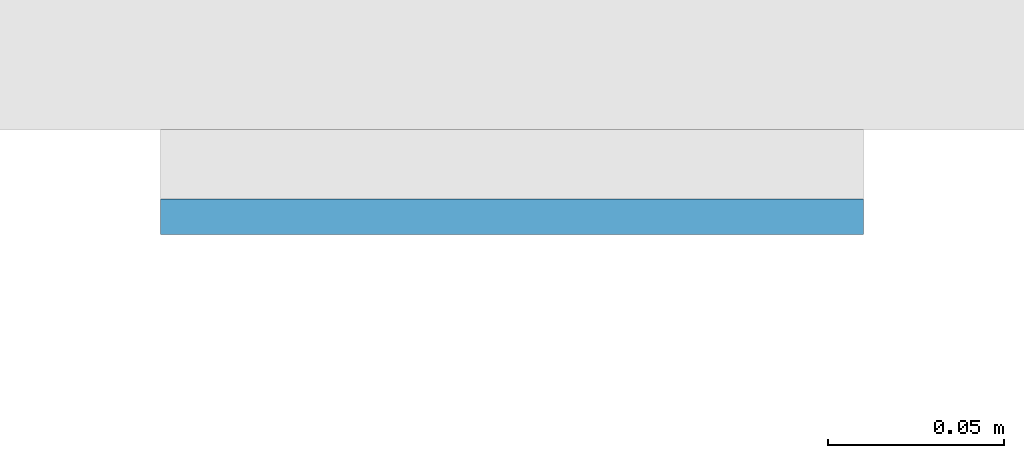
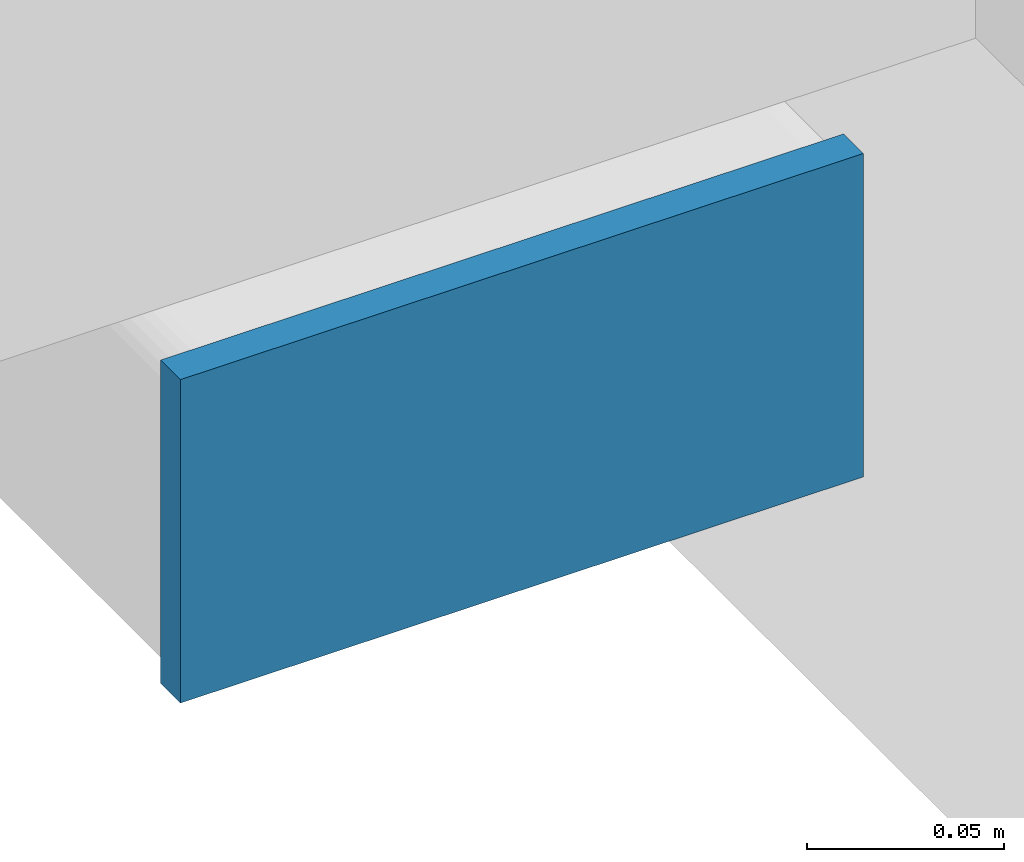
# One storey, part 8 of 20: 1 plate.
"""IFC4 building model written with IfcOpenShell, lengths in metres."""

from ifc_helpers import new_model, si_unit, direction, frame, origin, origin_2d, place, context, subcontext, project, spatial, rectangle, extrude, material, layer, layer_set, type_object, element, save


model = new_model("IFC4")

# Units and contexts
model_context = context("Model", 3, precision=1e-05, world=origin(), true_north=direction((0.0, 1.0)))
body_context = subcontext(model_context, "Body", "Model", "MODEL_VIEW")
ifc_project = project(units=[si_unit("LENGTHUNIT", "METRE"), si_unit("AREAUNIT", "SQUARE_METRE"), si_unit("VOLUMEUNIT", "CUBIC_METRE"), si_unit("PLANEANGLEUNIT", "RADIAN"), si_unit("MASSUNIT", "GRAM", prefix="KILO")], contexts=[model_context])

# Site, building, storey
site_placement = place(None, origin())
site = spatial("IfcSite", under=ifc_project, at=site_placement, CompositionType="ELEMENT")
building_placement = place(site_placement, origin())
building = spatial("IfcBuilding", under=site, at=building_placement, Name="Cleftline Residences", CompositionType="ELEMENT")
storey_placement = place(building_placement, frame((0.0, 0.0, 150.199951171875)))
storey = spatial("IfcBuildingStorey", under=building, at=storey_placement, Name="L39", CompositionType="ELEMENT", Elevation=150.199951171875)

# Plate
ifc_material = material(Name="Steel S355, hot-dip galvanised", Category="steel")
ifc_layer = layer(ifc_material, 0.010009765625)
ifc_layer_set = layer_set([ifc_layer], Name="BAGUETTE CARRIER END PLATE 200X100X10")
plate_type = type_object("IfcPlateType", Name="BAGUETTE CARRIER END PLATE 200X100X10", PredefinedType="USERDEFINED", material=ifc_layer_set)
plate_placement = place(storey_placement, frame((-0.85009765625, 3.695068359375, -0.10009765625), z_axis=(0.0, 0.0, 1.0), x_axis=(-1.0, 0.0, 0.0)))
element("IfcPlate", 1, at=plate_placement, inside=storey, type_object=plate_type, Name="Baguette carrier end plate", ObjectType="BAGUETTE CARRIER END PLATE", PredefinedType="USERDEFINED", context=body_context, shape_type="SweptSolid", body=[
    extrude(rectangle(XDim=0.199951171875, YDim=0.010009765625, at=origin_2d()), origin(), (0.0, 0.0, 1.0), 0.10009765625),
])

save(model, "model.ifc")
